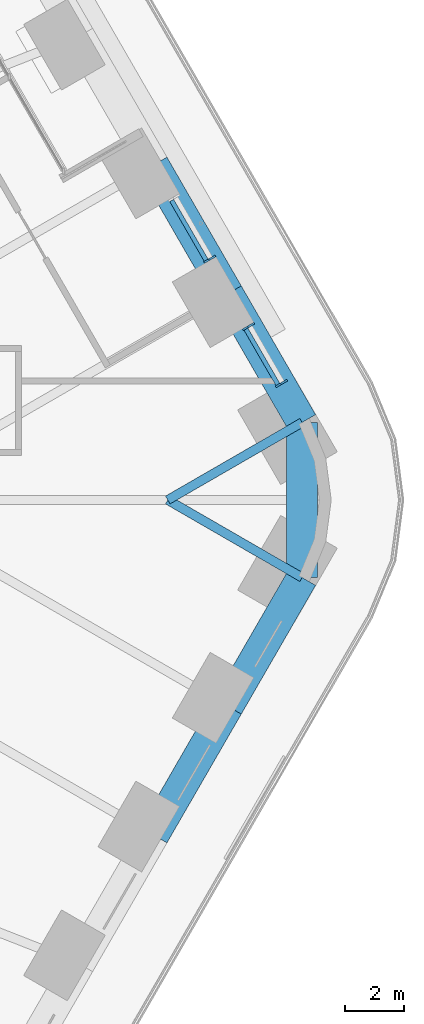
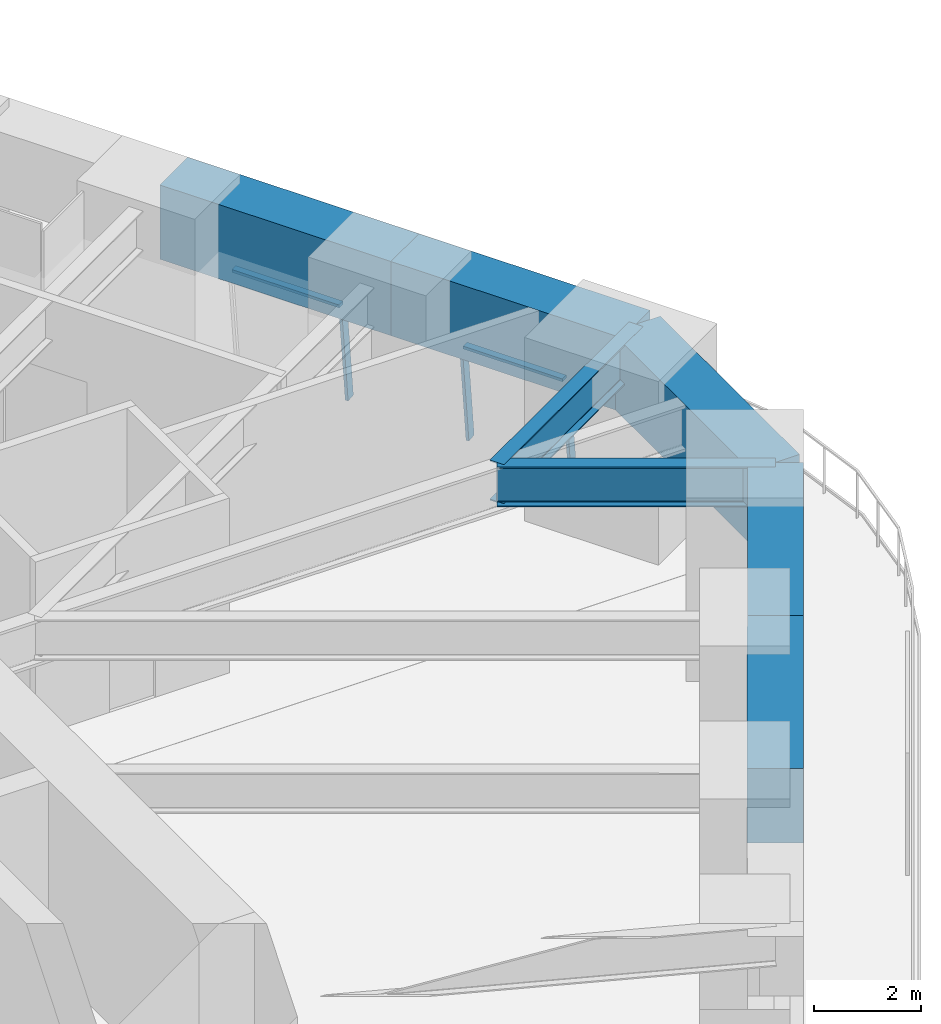
# One storey, part 14 of 24: 7 beams, 5 members, 2 elements without a shape of their own.
"""IFC4 building model written with IfcOpenShell, lengths in metres."""

from ifc_helpers import new_model, si_unit, direction, frame, origin, origin_2d, place, context, subcontext, project, spatial, rectangle, i_section, extrude, material, material_profile, profile_set, type_object, element, aggregate, save


model = new_model("IFC4")

# Units and contexts
model_context = context("Model", 3, precision=1e-05, world=origin(), true_north=direction((0.0, 1.0)))
body_context = subcontext(model_context, "Body", "Model", "MODEL_VIEW")
ifc_project = project(units=[si_unit("LENGTHUNIT", "METRE"), si_unit("AREAUNIT", "SQUARE_METRE"), si_unit("VOLUMEUNIT", "CUBIC_METRE"), si_unit("PLANEANGLEUNIT", "RADIAN"), si_unit("MASSUNIT", "GRAM", prefix="KILO")], contexts=[model_context])

# Site, building, storey
site_placement = place(None, origin())
site = spatial("IfcSite", under=ifc_project, at=site_placement, CompositionType="ELEMENT")
building_placement = place(site_placement, origin())
building = spatial("IfcBuilding", under=site, at=building_placement, Name="Tarfa Lantern Tower", CompositionType="ELEMENT")
storey_placement = place(building_placement, frame((0.0, 0.0, 119.5)))
storey = spatial("IfcBuildingStorey", under=building, at=storey_placement, Name="L26", CompositionType="ELEMENT", Elevation=119.5)

# Curtain wall, members
ifc_material_1 = material(Name="Aluminium framed curtain wall", Category="aluminium")
curtain_wall_type = type_object("IfcCurtainWallType", Name="CW2 CANTED GLAZING MID ZONE 2300", PredefinedType="USERDEFINED", material=ifc_material_1)
curtain_wall_1_placement = place(storey_placement, origin())
curtain_wall_1 = element("IfcCurtainWall", 1, at=curtain_wall_1_placement, inside=storey, type_object=curtain_wall_type, Name="CW2 NE L26", ObjectType="CURTAIN WALL", PredefinedType="USERDEFINED")
ifc_material_2 = material(Name="Aluminium mullion", Category="aluminium")
ifc_material_profile_1 = material_profile(ifc_material_2, rectangle(XDim=0.06494140625, YDim=0.199951171875, at=origin_2d()), Name="AL MULLION 65x200")
ifc_profile_set_1 = profile_set([ifc_material_profile_1], Name="Aluminium mullion")
member_type_1 = type_object("IfcMemberType", Name="CWM1 MULLION 65x200", PredefinedType="MULLION", material=ifc_profile_set_1)
member_1_placement = place(storey_placement, frame((33.95751953125, 3.98388671875, 0.0), z_axis=(-0.093599904765, -0.0540283554, 0.994142844183), x_axis=(0.499919672301, -0.866071776036, 0.0)))
member_1 = element("IfcMember", 2, at=member_1_placement, type_object=member_type_1, Name="CW2 mullion 1", PredefinedType="MULLION", context=body_context, shape_type="SweptSolid", body=[
    extrude(rectangle(XDim=0.06494140625, YDim=0.199951171875, at=origin_2d()), origin(), (0.0, 0.0, 1.0), 2.313720703125),
])
member_2_placement = place(storey_placement, frame((32.8505859375, 5.901123046875, 0.0), z_axis=(-0.093599904765, -0.0540283554, 0.994142844183), x_axis=(0.499919672301, -0.866071776036, 0.0)))
member_2 = element("IfcMember", 3, at=member_2_placement, type_object=member_type_1, Name="CW2 mullion 2", PredefinedType="MULLION", context=body_context, shape_type="SweptSolid", body=[
    extrude(rectangle(XDim=0.06494140625, YDim=0.199951171875, at=origin_2d()), origin(), (0.0, 0.0, 1.0), 2.313720703125),
])

# Curtain wall, member
curtain_wall_2_placement = place(storey_placement, origin())
curtain_wall_2 = element("IfcCurtainWall", 4, at=curtain_wall_2_placement, inside=storey, type_object=curtain_wall_type, Name="CW2 NE L26", ObjectType="CURTAIN WALL", PredefinedType="USERDEFINED")
member_3_placement = place(storey_placement, frame((31.543212890625, 8.165771484375, 0.0), z_axis=(-0.093599904765, -0.0540283554, 0.994142844183), x_axis=(0.499919672301, -0.866071776036, 0.0)))
member_3 = element("IfcMember", 5, at=member_3_placement, type_object=member_type_1, Name="CW2 mullion 1", PredefinedType="MULLION", context=body_context, shape_type="SweptSolid", body=[
    extrude(rectangle(XDim=0.06494140625, YDim=0.199951171875, at=origin_2d()), origin(), (0.0, 0.0, 1.0), 2.313720703125),
])

# Member
ifc_material_3 = material(Name="Aluminium transom", Category="aluminium")
ifc_material_profile_2 = material_profile(ifc_material_3, rectangle(XDim=0.14990234375, YDim=0.06494140625, at=origin_2d()), Name="AL TRANSOM 150x65")
ifc_profile_set_2 = profile_set([ifc_material_profile_2], Name="Aluminium transom")
member_type_2 = type_object("IfcMemberType", Name="CWT1 TRANSOM 150x65", PredefinedType="USERDEFINED", material=ifc_profile_set_2)
member_4_placement = place(storey_placement, frame((33.727783203125, 3.888916015625, 2.267578125), z_axis=(-0.500001158966, 0.866024734654, 0.0), x_axis=(-0.866024734654, -0.500001158966, 0.0)))
member_4 = element("IfcMember", 6, at=member_4_placement, type_object=member_type_2, Name="CW2 transom 1.2", ObjectType="TRANSOM", PredefinedType="USERDEFINED", context=body_context, shape_type="SweptSolid", body=[
    extrude(rectangle(XDim=0.14990234375, YDim=0.06494140625, at=origin_2d()), origin(), (0.0, 0.0, 1.0), 2.1484375),
])

aggregate(curtain_wall_1, [member_1, member_2, member_4])

member_5_placement = place(storey_placement, frame((31.3134765625, 8.070556640625, 2.267578125), z_axis=(-0.499992256698, 0.866029874336, 0.0), x_axis=(-0.866029874336, -0.499992256698, 0.0)))
member_5 = element("IfcMember", 7, at=member_5_placement, type_object=member_type_2, Name="CW2 transom 1.2", ObjectType="TRANSOM", PredefinedType="USERDEFINED", context=body_context, shape_type="SweptSolid", body=[
    extrude(rectangle(XDim=0.14990234375, YDim=0.06494140625, at=origin_2d()), origin(), (0.0, 0.0, 1.0), 2.32373046875),
])

aggregate(curtain_wall_2, [member_3, member_5])

# Beams
ifc_material_4 = material(Name="Concrete C80/95", Category="concrete")
ifc_material_profile_3 = material_profile(ifc_material_4, rectangle(XDim=1.050048828125, YDim=1.699951171875, at=origin_2d()), Name="RC 1050x1700")
ifc_profile_set_3 = profile_set([ifc_material_profile_3], Name="Concrete C80/95")
beam_type_1 = type_object("IfcBeamType", Name="RB2 RC 1050x1700", PredefinedType="BEAM", material=ifc_profile_set_3)
for number, where, z_axis, x_axis, name in (
    (8, (34.54296875, 2.610107421875, 3.14990234375), (-0.500022324899, 0.866012514114, 0.0), (-0.866012514114, -0.500022324899, 0.0), "Edge beam NE0"),
    (9, (32.041015625, 6.943359375, 3.14990234375), (-0.500022324899, 0.866012514114, 0.0), (-0.866012514114, -0.500022324899, 0.0), "Edge beam NE1"),
    (10, (29.5390625, -11.276611328125, 3.14990234375), (0.500022324899, 0.866012514114, 0.0), (-0.866012514114, 0.500022324899, 0.0), "Edge beam SE4"),
    (11, (32.041015625, -6.943359375, 3.14990234375), (0.500022324899, 0.866012514114, 0.0), (-0.866012514114, 0.500022324899, 0.0), "Edge beam SE5"),
):
    element("IfcBeam", number, at=place(storey_placement, frame(where, z_axis=z_axis, x_axis=x_axis)), inside=storey, type_object=beam_type_1, Name=name, PredefinedType="BEAM", context=body_context, shape_type="SweptSolid", body=[
        extrude(rectangle(XDim=1.050048828125, YDim=1.699951171875, at=origin_2d()), origin(), (0.0, 0.0, 1.0), 5.003662109375),
    ])
beam_placement = place(storey_placement, frame((34.54296875, -2.610107421875, 3.14990234375), z_axis=(0.0, 1.0, 0.0), x_axis=(-1.0, 0.0, 0.0)))
element("IfcBeam", 12, at=beam_placement, inside=storey, type_object=beam_type_1, Name="Edge beam SE6", PredefinedType="BEAM", context=body_context, shape_type="SweptSolid", body=[
    extrude(rectangle(XDim=1.050048828125, YDim=1.699951171875, at=origin_2d()), origin(), (0.0, 0.0, 1.0), 5.22021484375),
])
ifc_material_5 = material(Name="Steel S460M", Category="steel")
ifc_material_profile_4 = material_profile(ifc_material_5, i_section(OverallWidth=0.305419921875, OverallDepth=0.91845703125, WebThickness=0.017333984375, FlangeThickness=0.02783203125, FilletRadius=0.01904296875, at=origin_2d()), Name="UB914x305x253")
ifc_profile_set_4 = profile_set([ifc_material_profile_4], Name="Steel S460M")
beam_type_2 = type_object("IfcBeamType", Name="UB914x305x253", PredefinedType="BEAM", material=ifc_profile_set_4)
for number, where, z_axis, x_axis, name in (
    (13, (34.54296875, 2.610107421875, 3.540771484375), (-0.866021250859, -0.500007193008, 0.0), (0.500007193008, -0.866021250859, 0.0), "Floor beam NE0"),
    (14, (34.54296875, -2.610107421875, 3.540771484375), (-0.866021250859, 0.500007193008, 0.0), (-0.500007193008, -0.866021250859, 0.0), "Floor beam SE6"),
):
    element("IfcBeam", number, at=place(storey_placement, frame(where, z_axis=z_axis, x_axis=x_axis)), inside=storey, type_object=beam_type_2, Name=name, PredefinedType="BEAM", context=body_context, shape_type="SweptSolid", body=[
        extrude(i_section(OverallWidth=0.305419921875, OverallDepth=0.91845703125, WebThickness=0.017333984375, FlangeThickness=0.02783203125, FilletRadius=0.01904296875, at=origin_2d()), origin(), (0.0, 0.0, 1.0), 5.22021484375),
    ])

save(model, "model.ifc")
